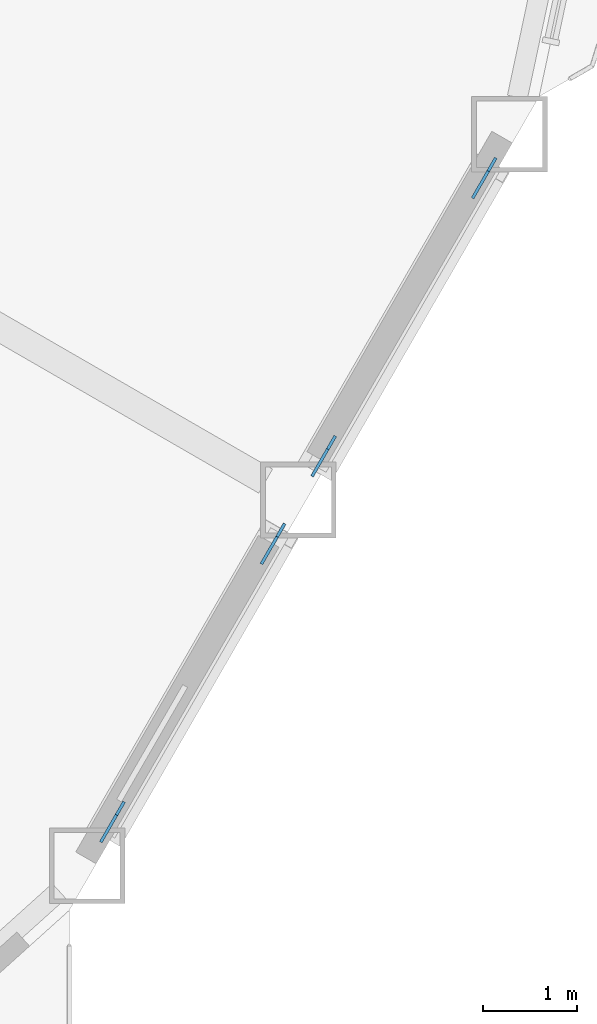
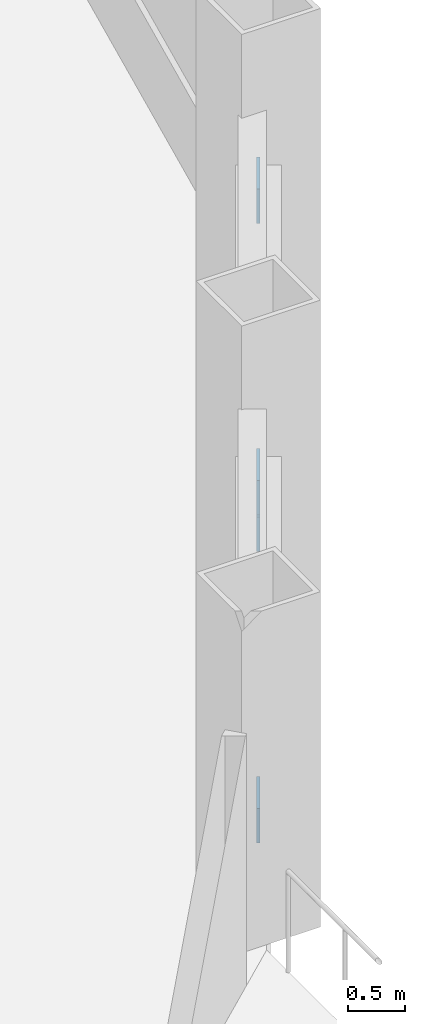
# One storey, part 17 of 23: 4 discrete accessories.
"""IFC4 building model written with IfcOpenShell, lengths in metres."""

from ifc_helpers import new_model, si_unit, direction, frame, origin, origin_2d, place, context, subcontext, project, spatial, rectangle, extrude, material, material_profile, profile_set, type_object, element, save


model = new_model("IFC4")

# Units and contexts
model_context = context("Model", 3, precision=1e-05, world=origin(), true_north=direction((0.0, 1.0)))
body_context = subcontext(model_context, "Body", "Model", "MODEL_VIEW")
ifc_project = project(units=[si_unit("LENGTHUNIT", "METRE"), si_unit("AREAUNIT", "SQUARE_METRE"), si_unit("VOLUMEUNIT", "CUBIC_METRE"), si_unit("PLANEANGLEUNIT", "RADIAN"), si_unit("MASSUNIT", "GRAM", prefix="KILO")], contexts=[model_context])

# Site, building, storey
site_placement = place(None, origin())
site = spatial("IfcSite", under=ifc_project, at=site_placement, CompositionType="ELEMENT")
building_placement = place(site_placement, origin())
building = spatial("IfcBuilding", under=site, at=building_placement, Name="Cormorant Prow Tower", CompositionType="ELEMENT")
storey_placement = place(building_placement, frame((0.0, 0.0, 180.0)))
storey = spatial("IfcBuildingStorey", under=building, at=storey_placement, Name="L38", CompositionType="ELEMENT", Elevation=180.0)

# Discrete accessories
ifc_material = material(Name="Structural steel ASTM A500 Gr C", Category="steel")
ifc_material_profile = material_profile(ifc_material, rectangle(XDim=0.031982421875, YDim=0.506103515625, at=origin_2d()), Name="Gusset plate 32x506")
ifc_profile_set = profile_set([ifc_material_profile], Name="Structural steel ASTM A500 Gr C")
discrete_accessory_type = type_object("IfcDiscreteAccessoryType", Name="Gusset plate 32x506", PredefinedType="BRACKET", material=ifc_profile_set)
discrete_accessory_1_placement = place(storey_placement, frame((26.17431640625, -19.463623046875, 0.83544921875), z_axis=(-0.47373689254, -0.821190460264, -0.318150254784), x_axis=(0.866197837791, -0.499701216534, 0.0)))
element("IfcDiscreteAccessory", 1, at=discrete_accessory_1_placement, inside=storey, type_object=discrete_accessory_type, Name="Gusset plate GP2 L38.ESE00.g0", PredefinedType="BRACKET", context=body_context, shape_type="SweptSolid", body=[
    extrude(rectangle(XDim=0.031982421875, YDim=0.506103515625, at=origin_2d()), origin(), (0.0, 0.0, 1.0), 0.349853515625),
])
for number, where, z_axis, x_axis, name in (
    (2, (27.7080078125, -16.807373046875, 1.865478515625), (0.4742777402, 0.820918970906, 0.31804507284), (-0.86587923604, 0.500253084543, 0.0), "Gusset plate GP2 L38.ESE00.g1"),
    (3, (28.40966796875, -15.59228515625, 0.83544921875), (-0.4742777402, -0.820918970906, -0.31804507284), (0.86587923604, -0.500253084543, 0.0), "Gusset plate GP2 L38.ESE01.g0"),
):
    element("IfcDiscreteAccessory", number, at=place(storey_placement, frame(where, z_axis=z_axis, x_axis=x_axis)), inside=storey, type_object=discrete_accessory_type, Name=name, PredefinedType="BRACKET", context=body_context, shape_type="SweptSolid", body=[
        extrude(rectangle(XDim=0.031982421875, YDim=0.506103515625, at=origin_2d()), origin(), (0.0, 0.0, 1.0), 0.35009765625),
    ])
discrete_accessory_2_placement = place(storey_placement, frame((29.943359375, -12.935791015625, 1.865478515625), z_axis=(0.47373689254, 0.821190460264, 0.318150254784), x_axis=(-0.866197837791, 0.499701216534, 0.0)))
element("IfcDiscreteAccessory", 4, at=discrete_accessory_2_placement, inside=storey, type_object=discrete_accessory_type, Name="Gusset plate GP2 L38.ESE01.g1", PredefinedType="BRACKET", context=body_context, shape_type="SweptSolid", body=[
    extrude(rectangle(XDim=0.031982421875, YDim=0.506103515625, at=origin_2d()), origin(), (0.0, 0.0, 1.0), 0.349853515625),
])

save(model, "model.ifc")
